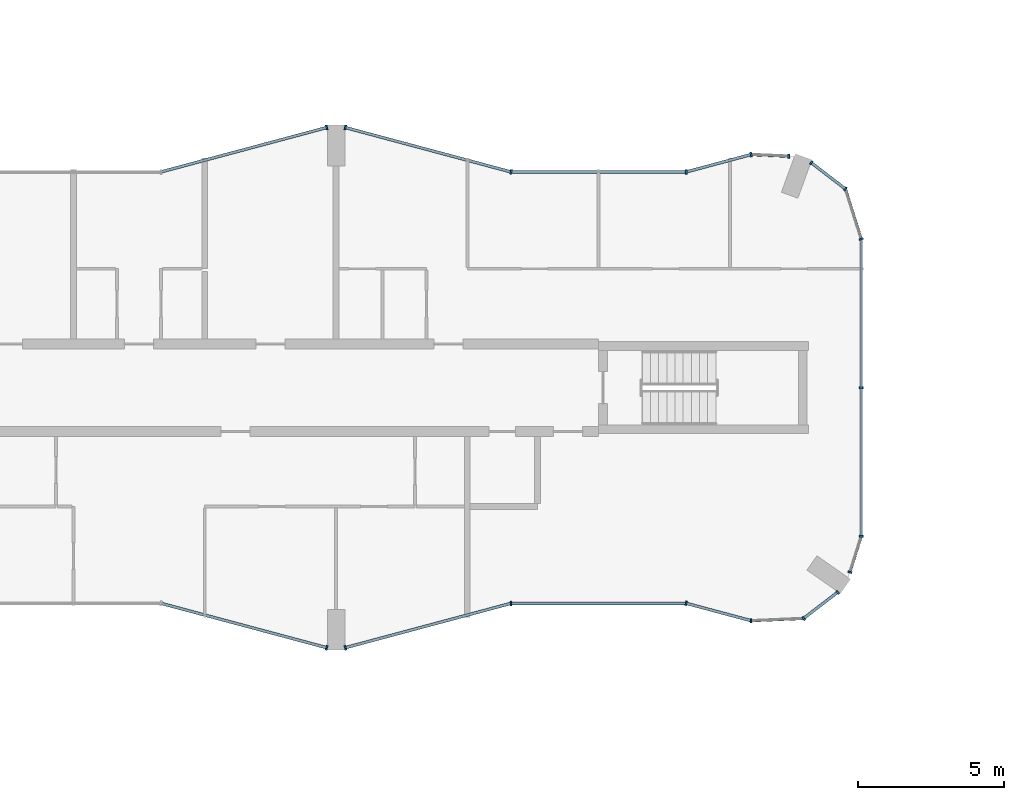
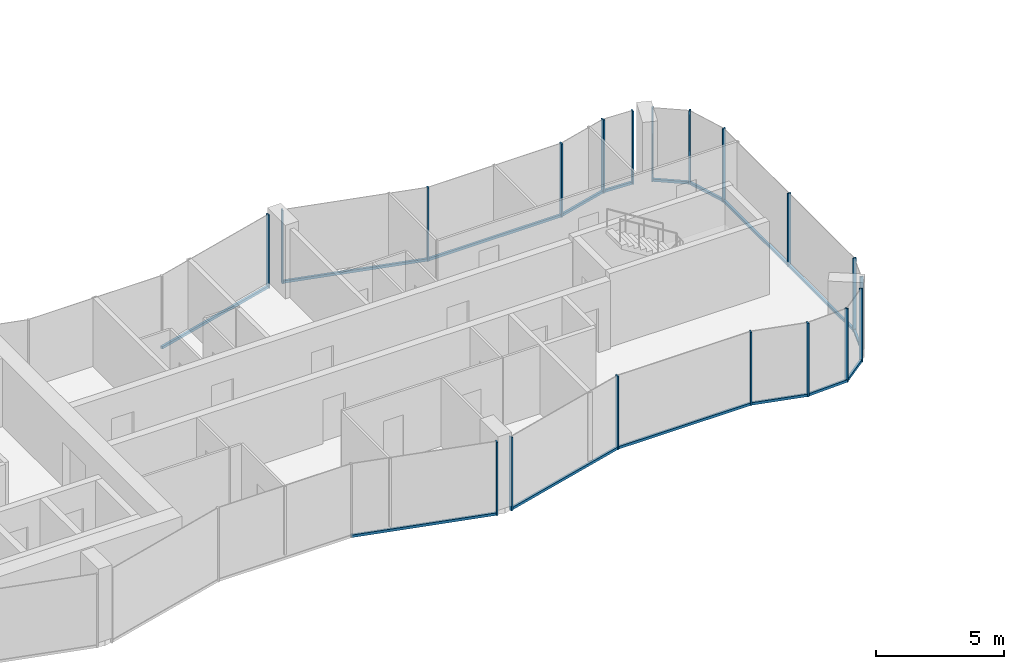
# One storey, part 5 of 22: 34 members, 15 elements without a shape of their own.
"""IFC4 building model written with IfcOpenShell, lengths in metres."""

from ifc_helpers import new_model, si_unit, direction, frame, origin, origin_2d, place, context, subcontext, project, spatial, rectangle, extrude, material, layer, layer_set, material_profile, profile_set, type_object, element, aggregate, save


model = new_model("IFC4")

# Units and contexts
model_context = context("Model", 3, precision=1e-05, world=origin(), true_north=direction((0.0, 1.0)))
body_context = subcontext(model_context, "Body", "Model", "MODEL_VIEW")
ifc_project = project(units=[si_unit("LENGTHUNIT", "METRE"), si_unit("AREAUNIT", "SQUARE_METRE"), si_unit("VOLUMEUNIT", "CUBIC_METRE"), si_unit("PLANEANGLEUNIT", "RADIAN"), si_unit("MASSUNIT", "GRAM", prefix="KILO")], contexts=[model_context])

# Site, building, storey
site_placement = place(None, origin())
site = spatial("IfcSite", under=ifc_project, at=site_placement, CompositionType="ELEMENT")
building_placement = place(site_placement, origin())
building = spatial("IfcBuilding", under=site, at=building_placement, Name="Plateau Cross Towers", CompositionType="ELEMENT")
storey_placement = place(building_placement, frame((0.0, 0.0, 65.300048828125)))
storey = spatial("IfcBuildingStorey", under=building, at=storey_placement, Name="L16", CompositionType="ELEMENT", Elevation=65.300048828125)

# Curtain wall, member
ifc_material_1 = material(Name="Dark low-iron glass", Category="glass")
ifc_layer_1 = layer(ifc_material_1, 0.239990234375)
ifc_layer_set_1 = layer_set([ifc_layer_1], Name="Dark low-iron glass")
curtain_wall_type_1 = type_object("IfcCurtainWallType", Name="Curtain wall flush unitised CW-B", PredefinedType="NOTDEFINED", material=ifc_layer_set_1)
curtain_wall_1_placement = place(storey_placement, origin())
curtain_wall_1 = element("IfcCurtainWall", 1, at=curtain_wall_1_placement, inside=storey, type_object=curtain_wall_type_1, Name="ENV/A/L16/A502_10", PredefinedType="NOTDEFINED")
ifc_material_2 = material(Name="Black anodised aluminium", Category="aluminium")
ifc_material_profile_1 = material_profile(ifc_material_2, rectangle(XDim=0.06005859375, YDim=0.139892578125, at=origin_2d()), Name="MULLION 60x140")
ifc_profile_set_1 = profile_set([ifc_material_profile_1], Name="Black anodised aluminium")
member_type_1 = type_object("IfcMemberType", Name="Mullion 60x140 flush unitised", PredefinedType="MULLION", material=ifc_profile_set_1)
member_1_placement = place(storey_placement, frame((50.223876953125, 1.01123046875, -0.25), z_axis=(0.0, 0.0, 1.0), x_axis=(0.999043701491, 0.043722791671, 0.0)))
member_1 = element("IfcMember", 2, at=member_1_placement, type_object=member_type_1, Name="CW-B mullion 1", PredefinedType="MULLION", context=body_context, shape_type="SweptSolid", body=[
    extrude(rectangle(XDim=0.06005859375, YDim=0.139892578125, at=origin_2d()), origin(), (0.0, 0.0, 1.0), 3.5),
])

# Curtain wall, members
curtain_wall_2_placement = place(storey_placement, origin())
curtain_wall_2 = element("IfcCurtainWall", 3, at=curtain_wall_2_placement, inside=storey, type_object=curtain_wall_type_1, Name="ENV/A/L16/A520_11", PredefinedType="NOTDEFINED")
member_2_placement = place(storey_placement, frame((52.0263671875, 1.090087890625, -0.25), z_axis=(0.0, 0.0, 1.0), x_axis=(0.793315514529, 0.608810721331, 0.0)))
member_2 = element("IfcMember", 4, at=member_2_placement, type_object=member_type_1, Name="CW-B mullion 1", PredefinedType="MULLION", context=body_context, shape_type="SweptSolid", body=[
    extrude(rectangle(XDim=0.06005859375, YDim=0.139892578125, at=origin_2d()), origin(), (0.0, 0.0, 1.0), 3.5),
])
member_3_placement = place(storey_placement, frame((53.193603515625, 1.986083984375, -0.25), z_axis=(0.0, 0.0, 1.0), x_axis=(0.793315514529, 0.608810721331, 0.0)))
member_3 = element("IfcMember", 5, at=member_3_placement, type_object=member_type_1, Name="CW-B mullion 2", PredefinedType="MULLION", context=body_context, shape_type="SweptSolid", body=[
    extrude(rectangle(XDim=0.06005859375, YDim=0.139892578125, at=origin_2d()), origin(), (0.0, 0.0, 1.0), 3.5),
])

# Curtain wall, member
curtain_wall_3_placement = place(storey_placement, origin())
curtain_wall_3 = element("IfcCurtainWall", 6, at=curtain_wall_3_placement, inside=storey, type_object=curtain_wall_type_1, Name="ENV/A/L16/A536_27", PredefinedType="NOTDEFINED")
member_4_placement = place(storey_placement, frame((53.611083984375, 2.67529296875, -0.25), z_axis=(0.0, 0.0, 1.0), x_axis=(0.300686174994, 0.95372313811, 0.0)))
member_4 = element("IfcMember", 7, at=member_4_placement, type_object=member_type_1, Name="CW-B mullion 1", PredefinedType="MULLION", context=body_context, shape_type="SweptSolid", body=[
    extrude(rectangle(XDim=0.06005859375, YDim=0.139892578125, at=origin_2d()), origin(), (0.0, 0.0, 1.0), 3.5),
])

# Curtain wall, members
curtain_wall_4_placement = place(storey_placement, origin())
curtain_wall_4 = element("IfcCurtainWall", 8, at=curtain_wall_4_placement, inside=storey, type_object=curtain_wall_type_1, Name="ENV/A/L16/A540_39", PredefinedType="NOTDEFINED")
member_5_placement = place(storey_placement, frame((54.0, 3.9091796875, -0.25), z_axis=(0.0, 0.0, 1.0), x_axis=(0.0, 1.0, 0.0)))
member_5 = element("IfcMember", 9, at=member_5_placement, type_object=member_type_1, Name="CW-B mullion 1", PredefinedType="MULLION", context=body_context, shape_type="SweptSolid", body=[
    extrude(rectangle(XDim=0.06005859375, YDim=0.139892578125, at=origin_2d()), origin(), (0.0, 0.0, 1.0), 3.5),
])
member_6_placement = place(storey_placement, frame((54.0, 9.0, -0.25), z_axis=(0.0, 0.0, 1.0), x_axis=(0.0, 1.0, 0.0)))
member_6 = element("IfcMember", 10, at=member_6_placement, type_object=member_type_1, Name="CW-B mullion 2", PredefinedType="MULLION", context=body_context, shape_type="SweptSolid", body=[
    extrude(rectangle(XDim=0.06005859375, YDim=0.139892578125, at=origin_2d()), origin(), (0.0, 0.0, 1.0), 3.5),
])

# Curtain wall, member
curtain_wall_5_placement = place(storey_placement, origin())
curtain_wall_5 = element("IfcCurtainWall", 11, at=curtain_wall_5_placement, inside=storey, type_object=curtain_wall_type_1, Name="ENV/A/L16/A540_141", PredefinedType="NOTDEFINED")
member_7_placement = place(storey_placement, frame((54.0, 14.0908203125, -0.25), z_axis=(0.0, 0.0, 1.0), x_axis=(-0.300686174994, 0.95372313811, 0.0)))
member_7 = element("IfcMember", 12, at=member_7_placement, type_object=member_type_1, Name="CW-B mullion 1", PredefinedType="MULLION", context=body_context, shape_type="SweptSolid", body=[
    extrude(rectangle(XDim=0.06005859375, YDim=0.139892578125, at=origin_2d()), origin(), (0.0, 0.0, 1.0), 3.5),
])

# Curtain wall, members
curtain_wall_6_placement = place(storey_placement, origin())
curtain_wall_6 = element("IfcCurtainWall", 13, at=curtain_wall_6_placement, inside=storey, type_object=curtain_wall_type_1, Name="ENV/A/L16/A535_158", PredefinedType="NOTDEFINED")
member_8_placement = place(storey_placement, frame((53.45751953125, 15.8115234375, -0.25), z_axis=(0.0, 0.0, 1.0), x_axis=(-0.793315514529, 0.608810721331, 0.0)))
member_8 = element("IfcMember", 14, at=member_8_placement, type_object=member_type_1, Name="CW-B mullion 1", PredefinedType="MULLION", context=body_context, shape_type="SweptSolid", body=[
    extrude(rectangle(XDim=0.06005859375, YDim=0.139892578125, at=origin_2d()), origin(), (0.0, 0.0, 1.0), 3.5),
])
member_9_placement = place(storey_placement, frame((52.290283203125, 16.707275390625, -0.25), z_axis=(0.0, 0.0, 1.0), x_axis=(-0.793315514529, 0.608810721331, 0.0)))
member_9 = element("IfcMember", 15, at=member_9_placement, type_object=member_type_1, Name="CW-B mullion 2", PredefinedType="MULLION", context=body_context, shape_type="SweptSolid", body=[
    extrude(rectangle(XDim=0.06005859375, YDim=0.139892578125, at=origin_2d()), origin(), (0.0, 0.0, 1.0), 3.5),
])

# Curtain wall, member
curtain_wall_7_placement = place(storey_placement, origin())
curtain_wall_7 = element("IfcCurtainWall", 16, at=curtain_wall_7_placement, inside=storey, type_object=curtain_wall_type_1, Name="ENV/A/L16/A515_169", PredefinedType="NOTDEFINED")
member_10_placement = place(storey_placement, frame((51.516357421875, 16.93212890625, -0.25), z_axis=(0.0, 0.0, 1.0), x_axis=(-0.999043701491, 0.043722791671, 0.0)))
member_10 = element("IfcMember", 17, at=member_10_placement, type_object=member_type_1, Name="CW-B mullion 1", PredefinedType="MULLION", context=body_context, shape_type="SweptSolid", body=[
    extrude(rectangle(XDim=0.06005859375, YDim=0.139892578125, at=origin_2d()), origin(), (0.0, 0.0, 1.0), 3.5),
])

ifc_layer_2 = layer(ifc_material_1, 0.260009765625)
ifc_layer_set_2 = layer_set([ifc_layer_2], Name="Dark low-iron glass")
curtain_wall_type_2 = type_object("IfcCurtainWallType", Name="Curtain wall fluted unitised CW-A", PredefinedType="NOTDEFINED", material=ifc_layer_set_2)
curtain_wall_8_placement = place(storey_placement, origin())
curtain_wall_8 = element("IfcCurtainWall", 18, at=curtain_wall_8_placement, inside=storey, type_object=curtain_wall_type_2, Name="ENV/A/L16/A300_16", PredefinedType="NOTDEFINED")
ifc_material_profile_2 = material_profile(ifc_material_2, rectangle(XDim=0.06005859375, YDim=0.159912109375, at=origin_2d()), Name="MULLION 60x160")
ifc_profile_set_2 = profile_set([ifc_material_profile_2], Name="Black anodised aluminium")
member_type_2 = type_object("IfcMemberType", Name="Mullion 60x160 fluted unitised", PredefinedType="MULLION", material=ifc_profile_set_2)
member_11_placement = place(storey_placement, frame((35.68212890625, 0.085205078125, -0.25), z_axis=(0.0, 0.0, 1.0), x_axis=(0.965957983404, -0.258699003279, 0.0)))
member_11 = element("IfcMember", 19, at=member_11_placement, type_object=member_type_2, Name="CW-A mullion 2", PredefinedType="MULLION", context=body_context, shape_type="SweptSolid", body=[
    extrude(rectangle(XDim=0.06005859375, YDim=0.159912109375, at=origin_2d()), origin(), (0.0, 0.0, 1.0), 3.5),
])

curtain_wall_9_placement = place(storey_placement, origin())
curtain_wall_9 = element("IfcCurtainWall", 20, at=curtain_wall_9_placement, inside=storey, type_object=curtain_wall_type_2, Name="ENV/A/L16/A363_1", PredefinedType="NOTDEFINED")
member_12_placement = place(storey_placement, frame((36.31787109375, 0.085205078125, -0.25), z_axis=(0.0, 0.0, 1.0), x_axis=(0.965957983404, 0.258699003279, 0.0)))
member_12 = element("IfcMember", 21, at=member_12_placement, type_object=member_type_2, Name="CW-A mullion 1", PredefinedType="MULLION", context=body_context, shape_type="SweptSolid", body=[
    extrude(rectangle(XDim=0.06005859375, YDim=0.159912109375, at=origin_2d()), origin(), (0.0, 0.0, 1.0), 3.5),
])

curtain_wall_10_placement = place(storey_placement, origin())
curtain_wall_10 = element("IfcCurtainWall", 22, at=curtain_wall_10_placement, inside=storey, type_object=curtain_wall_type_2, Name="ENV/A/L16/A420_16", PredefinedType="NOTDEFINED")
member_13_placement = place(storey_placement, frame((42.0, 1.60693359375, -0.25), z_axis=(0.0, 0.0, 1.0), x_axis=(1.0, 0.0, 0.0)))
member_13 = element("IfcMember", 23, at=member_13_placement, type_object=member_type_2, Name="CW-A mullion 1", PredefinedType="MULLION", context=body_context, shape_type="SweptSolid", body=[
    extrude(rectangle(XDim=0.06005859375, YDim=0.159912109375, at=origin_2d()), origin(), (0.0, 0.0, 1.0), 3.5),
])

curtain_wall_11_placement = place(storey_placement, origin())
curtain_wall_11 = element("IfcCurtainWall", 24, at=curtain_wall_11_placement, inside=storey, type_object=curtain_wall_type_2, Name="ENV/A/L16/A480_16", PredefinedType="NOTDEFINED")
member_14_placement = place(storey_placement, frame((48.0, 1.60693359375, -0.25), z_axis=(0.0, 0.0, 1.0), x_axis=(0.965957962328, -0.258699081978, 0.0)))
member_14 = element("IfcMember", 25, at=member_14_placement, type_object=member_type_2, Name="CW-A mullion 1", PredefinedType="MULLION", context=body_context, shape_type="SweptSolid", body=[
    extrude(rectangle(XDim=0.06005859375, YDim=0.159912109375, at=origin_2d()), origin(), (0.0, 0.0, 1.0), 3.5),
])

curtain_wall_12_placement = place(storey_placement, origin())
curtain_wall_12 = element("IfcCurtainWall", 26, at=curtain_wall_12_placement, inside=storey, type_object=curtain_wall_type_2, Name="ENV/A/L16/A502_170", PredefinedType="NOTDEFINED")
member_15_placement = place(storey_placement, frame((50.223876953125, 16.98876953125, -0.25), z_axis=(0.0, 0.0, 1.0), x_axis=(-0.965957962328, -0.258699081978, 0.0)))
member_15 = element("IfcMember", 27, at=member_15_placement, type_object=member_type_2, Name="CW-A mullion 1", PredefinedType="MULLION", context=body_context, shape_type="SweptSolid", body=[
    extrude(rectangle(XDim=0.06005859375, YDim=0.159912109375, at=origin_2d()), origin(), (0.0, 0.0, 1.0), 3.5),
])

curtain_wall_13_placement = place(storey_placement, origin())
curtain_wall_13 = element("IfcCurtainWall", 28, at=curtain_wall_13_placement, inside=storey, type_object=curtain_wall_type_2, Name="ENV/A/L16/A480_164", PredefinedType="NOTDEFINED")
member_16_placement = place(storey_placement, frame((48.0, 16.39306640625, -0.25), z_axis=(0.0, 0.0, 1.0), x_axis=(-1.0, 0.0, 0.0)))
member_16 = element("IfcMember", 29, at=member_16_placement, type_object=member_type_2, Name="CW-A mullion 1", PredefinedType="MULLION", context=body_context, shape_type="SweptSolid", body=[
    extrude(rectangle(XDim=0.06005859375, YDim=0.159912109375, at=origin_2d()), origin(), (0.0, 0.0, 1.0), 3.5),
])

# Curtain wall, members
curtain_wall_14_placement = place(storey_placement, origin())
curtain_wall_14 = element("IfcCurtainWall", 30, at=curtain_wall_14_placement, inside=storey, type_object=curtain_wall_type_2, Name="ENV/A/L16/A420_164", PredefinedType="NOTDEFINED")
member_17_placement = place(storey_placement, frame((42.0, 16.39306640625, -0.25), z_axis=(0.0, 0.0, 1.0), x_axis=(-0.965957983404, 0.258699003279, 0.0)))
member_17 = element("IfcMember", 31, at=member_17_placement, type_object=member_type_2, Name="CW-A mullion 1", PredefinedType="MULLION", context=body_context, shape_type="SweptSolid", body=[
    extrude(rectangle(XDim=0.06005859375, YDim=0.159912109375, at=origin_2d()), origin(), (0.0, 0.0, 1.0), 3.5),
])
member_18_placement = place(storey_placement, frame((36.31787109375, 17.914794921875, -0.25), z_axis=(0.0, 0.0, 1.0), x_axis=(-0.965957983404, 0.258699003279, 0.0)))
member_18 = element("IfcMember", 32, at=member_18_placement, type_object=member_type_2, Name="CW-A mullion 2", PredefinedType="MULLION", context=body_context, shape_type="SweptSolid", body=[
    extrude(rectangle(XDim=0.06005859375, YDim=0.159912109375, at=origin_2d()), origin(), (0.0, 0.0, 1.0), 3.5),
])

# Curtain wall, member
curtain_wall_15_placement = place(storey_placement, origin())
curtain_wall_15 = element("IfcCurtainWall", 33, at=curtain_wall_15_placement, inside=storey, type_object=curtain_wall_type_2, Name="ENV/A/L16/A357_179", PredefinedType="NOTDEFINED")
member_19_placement = place(storey_placement, frame((35.68212890625, 17.914794921875, -0.25), z_axis=(0.0, 0.0, 1.0), x_axis=(-0.965957983404, -0.258699003279, 0.0)))
member_19 = element("IfcMember", 34, at=member_19_placement, type_object=member_type_2, Name="CW-A mullion 1", PredefinedType="MULLION", context=body_context, shape_type="SweptSolid", body=[
    extrude(rectangle(XDim=0.06005859375, YDim=0.159912109375, at=origin_2d()), origin(), (0.0, 0.0, 1.0), 3.5),
])

# Member
ifc_material_profile_3 = material_profile(ifc_material_2, rectangle(XDim=0.10009765625, YDim=0.1201171875, at=origin_2d()), Name="TRANSOM 100x120")
ifc_profile_set_3 = profile_set([ifc_material_profile_3], Name="Black anodised aluminium")
member_type_3 = type_object("IfcMemberType", Name="Transom 100x120 flush unitised", PredefinedType="USERDEFINED", material=ifc_profile_set_3)
member_20_placement = place(storey_placement, frame((50.223876953125, 1.01123046875, -0.18994140625), z_axis=(0.999044377355, 0.043707345779, 0.0), x_axis=(-0.043707345779, 0.999044377355, 0.0)))
member_20 = element("IfcMember", 35, at=member_20_placement, type_object=member_type_3, Name="CW-B transom", ObjectType="TRANSOM", PredefinedType="USERDEFINED", context=body_context, shape_type="SweptSolid", body=[
    extrude(rectangle(XDim=0.10009765625, YDim=0.1201171875, at=origin_2d()), origin(), (0.0, 0.0, 1.0), 1.80419921875),
])

aggregate(curtain_wall_1, [member_1, member_20])

member_21_placement = place(storey_placement, frame((52.0263671875, 1.090087890625, -0.18994140625), z_axis=(0.793240368515, 0.608908628415, 0.0), x_axis=(-0.608908628415, 0.793240368515, 0.0)))
member_21 = element("IfcMember", 36, at=member_21_placement, type_object=member_type_3, Name="CW-B transom", ObjectType="TRANSOM", PredefinedType="USERDEFINED", context=body_context, shape_type="SweptSolid", body=[
    extrude(rectangle(XDim=0.10009765625, YDim=0.1201171875, at=origin_2d()), origin(), (0.0, 0.0, 1.0), 1.471435546875),
])

aggregate(curtain_wall_2, [member_2, member_3, member_21])

member_22_placement = place(storey_placement, frame((53.611083984375, 2.67529296875, -0.18994140625), z_axis=(0.300616528216, 0.953745093284, 0.0), x_axis=(-0.953745093284, 0.300616528216, 0.0)))
member_22 = element("IfcMember", 37, at=member_22_placement, type_object=member_type_3, Name="CW-B transom", ObjectType="TRANSOM", PredefinedType="USERDEFINED", context=body_context, shape_type="SweptSolid", body=[
    extrude(rectangle(XDim=0.10009765625, YDim=0.1201171875, at=origin_2d()), origin(), (0.0, 0.0, 1.0), 1.293701171875),
])

aggregate(curtain_wall_3, [member_4, member_22])

member_23_placement = place(storey_placement, frame((54.0, 3.9091796875, -0.18994140625), z_axis=(0.0, 1.0, 0.0), x_axis=(-1.0, 0.0, 0.0)))
member_23 = element("IfcMember", 38, at=member_23_placement, type_object=member_type_3, Name="CW-B transom", ObjectType="TRANSOM", PredefinedType="USERDEFINED", context=body_context, shape_type="SweptSolid", body=[
    extrude(rectangle(XDim=0.10009765625, YDim=0.1201171875, at=origin_2d()), origin(), (0.0, 0.0, 1.0), 10.181640625),
])

aggregate(curtain_wall_4, [member_5, member_6, member_23])

member_24_placement = place(storey_placement, frame((54.0, 14.0908203125, -0.18994140625), z_axis=(-0.30067799945, 0.953725715626, 0.0), x_axis=(-0.953725715626, -0.30067799945, 0.0)))
member_24 = element("IfcMember", 39, at=member_24_placement, type_object=member_type_3, Name="CW-B transom", ObjectType="TRANSOM", PredefinedType="USERDEFINED", context=body_context, shape_type="SweptSolid", body=[
    extrude(rectangle(XDim=0.10009765625, YDim=0.1201171875, at=origin_2d()), origin(), (0.0, 0.0, 1.0), 1.80419921875),
])

aggregate(curtain_wall_5, [member_7, member_24])

member_25_placement = place(storey_placement, frame((53.45751953125, 15.8115234375, -0.18994140625), z_axis=(-0.793320508571, 0.608804213751, 0.0), x_axis=(-0.608804213751, -0.793320508571, 0.0)))
member_25 = element("IfcMember", 40, at=member_25_placement, type_object=member_type_3, Name="CW-B transom", ObjectType="TRANSOM", PredefinedType="USERDEFINED", context=body_context, shape_type="SweptSolid", body=[
    extrude(rectangle(XDim=0.10009765625, YDim=0.1201171875, at=origin_2d()), origin(), (0.0, 0.0, 1.0), 1.471435546875),
])

aggregate(curtain_wall_6, [member_8, member_9, member_25])

member_26_placement = place(storey_placement, frame((51.516357421875, 16.93212890625, -0.18994140625), z_axis=(-0.999041144614, 0.043781175963, 0.0), x_axis=(-0.043781175963, -0.999041144614, 0.0)))
member_26 = element("IfcMember", 41, at=member_26_placement, type_object=member_type_3, Name="CW-B transom", ObjectType="TRANSOM", PredefinedType="USERDEFINED", context=body_context, shape_type="SweptSolid", body=[
    extrude(rectangle(XDim=0.10009765625, YDim=0.1201171875, at=origin_2d()), origin(), (0.0, 0.0, 1.0), 1.293701171875),
])

aggregate(curtain_wall_7, [member_10, member_26])

ifc_material_profile_4 = material_profile(ifc_material_2, rectangle(XDim=0.10009765625, YDim=0.1201171875, at=origin_2d()), Name="TRANSOM 100x120")
ifc_profile_set_4 = profile_set([ifc_material_profile_4], Name="Black anodised aluminium")
member_type_4 = type_object("IfcMemberType", Name="Transom 100x120 fluted unitised", PredefinedType="USERDEFINED", material=ifc_profile_set_4)
member_27_placement = place(storey_placement, frame((30.0, 1.60693359375, -0.18994140625), z_axis=(0.965959534794, -0.258693210465, 0.0), x_axis=(0.258693210465, 0.965959534794, 0.0)))
member_27 = element("IfcMember", 42, at=member_27_placement, type_object=member_type_4, Name="CW-A transom", ObjectType="TRANSOM", PredefinedType="USERDEFINED", context=body_context, shape_type="SweptSolid", body=[
    extrude(rectangle(XDim=0.10009765625, YDim=0.1201171875, at=origin_2d()), origin(), (0.0, 0.0, 1.0), 5.88232421875),
])

aggregate(curtain_wall_8, [member_11, member_27])

member_28_placement = place(storey_placement, frame((36.31787109375, 0.085205078125, -0.18994140625), z_axis=(0.965959534794, 0.258693210465, 0.0), x_axis=(-0.258693210465, 0.965959534794, 0.0)))
member_28 = element("IfcMember", 43, at=member_28_placement, type_object=member_type_4, Name="CW-A transom", ObjectType="TRANSOM", PredefinedType="USERDEFINED", context=body_context, shape_type="SweptSolid", body=[
    extrude(rectangle(XDim=0.10009765625, YDim=0.1201171875, at=origin_2d()), origin(), (0.0, 0.0, 1.0), 5.88232421875),
])

aggregate(curtain_wall_9, [member_12, member_28])

member_29_placement = place(storey_placement, frame((42.0, 1.60693359375, -0.18994140625), z_axis=(1.0, 0.0, 0.0), x_axis=(0.0, 1.0, 0.0)))
member_29 = element("IfcMember", 44, at=member_29_placement, type_object=member_type_4, Name="CW-A transom", ObjectType="TRANSOM", PredefinedType="USERDEFINED", context=body_context, shape_type="SweptSolid", body=[
    extrude(rectangle(XDim=0.10009765625, YDim=0.1201171875, at=origin_2d()), origin(), (0.0, 0.0, 1.0), 6.0),
])

aggregate(curtain_wall_10, [member_13, member_29])

member_30_placement = place(storey_placement, frame((48.0, 1.60693359375, -0.18994140625), z_axis=(0.965945685136, -0.258744919501, 0.0), x_axis=(0.258744919501, 0.965945685136, 0.0)))
member_30 = element("IfcMember", 45, at=member_30_placement, type_object=member_type_4, Name="CW-A transom", ObjectType="TRANSOM", PredefinedType="USERDEFINED", context=body_context, shape_type="SweptSolid", body=[
    extrude(rectangle(XDim=0.10009765625, YDim=0.1201171875, at=origin_2d()), origin(), (0.0, 0.0, 1.0), 2.30224609375),
])

aggregate(curtain_wall_11, [member_14, member_30])

member_31_placement = place(storey_placement, frame((50.223876953125, 16.98876953125, -0.18994140625), z_axis=(-0.965945685136, -0.258744919501, 0.0), x_axis=(0.258744919501, -0.965945685136, 0.0)))
member_31 = element("IfcMember", 46, at=member_31_placement, type_object=member_type_4, Name="CW-A transom", ObjectType="TRANSOM", PredefinedType="USERDEFINED", context=body_context, shape_type="SweptSolid", body=[
    extrude(rectangle(XDim=0.10009765625, YDim=0.1201171875, at=origin_2d()), origin(), (0.0, 0.0, 1.0), 2.30224609375),
])

aggregate(curtain_wall_12, [member_15, member_31])

member_32_placement = place(storey_placement, frame((48.0, 16.39306640625, -0.18994140625), z_axis=(-1.0, 0.0, 0.0), x_axis=(0.0, -1.0, 0.0)))
member_32 = element("IfcMember", 47, at=member_32_placement, type_object=member_type_4, Name="CW-A transom", ObjectType="TRANSOM", PredefinedType="USERDEFINED", context=body_context, shape_type="SweptSolid", body=[
    extrude(rectangle(XDim=0.10009765625, YDim=0.1201171875, at=origin_2d()), origin(), (0.0, 0.0, 1.0), 6.0),
])

aggregate(curtain_wall_13, [member_16, member_32])

member_33_placement = place(storey_placement, frame((42.0, 16.39306640625, -0.18994140625), z_axis=(-0.965959534794, 0.258693210465, 0.0), x_axis=(-0.258693210465, -0.965959534794, 0.0)))
member_33 = element("IfcMember", 48, at=member_33_placement, type_object=member_type_4, Name="CW-A transom", ObjectType="TRANSOM", PredefinedType="USERDEFINED", context=body_context, shape_type="SweptSolid", body=[
    extrude(rectangle(XDim=0.10009765625, YDim=0.1201171875, at=origin_2d()), origin(), (0.0, 0.0, 1.0), 5.88232421875),
])

aggregate(curtain_wall_14, [member_17, member_18, member_33])

member_34_placement = place(storey_placement, frame((35.68212890625, 17.914794921875, -0.18994140625), z_axis=(-0.965959534794, -0.258693210465, 0.0), x_axis=(0.258693210465, -0.965959534794, 0.0)))
member_34 = element("IfcMember", 49, at=member_34_placement, type_object=member_type_4, Name="CW-A transom", ObjectType="TRANSOM", PredefinedType="USERDEFINED", context=body_context, shape_type="SweptSolid", body=[
    extrude(rectangle(XDim=0.10009765625, YDim=0.1201171875, at=origin_2d()), origin(), (0.0, 0.0, 1.0), 5.88232421875),
])

aggregate(curtain_wall_15, [member_19, member_34])

save(model, "model.ifc")
